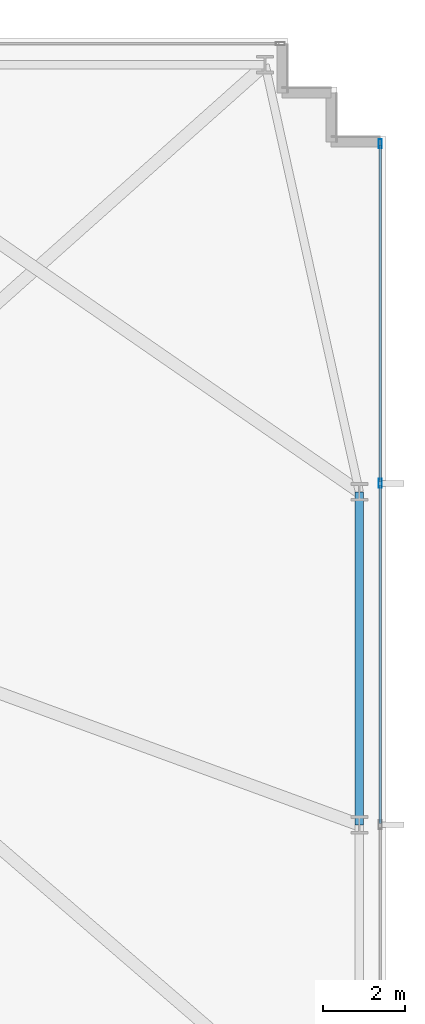
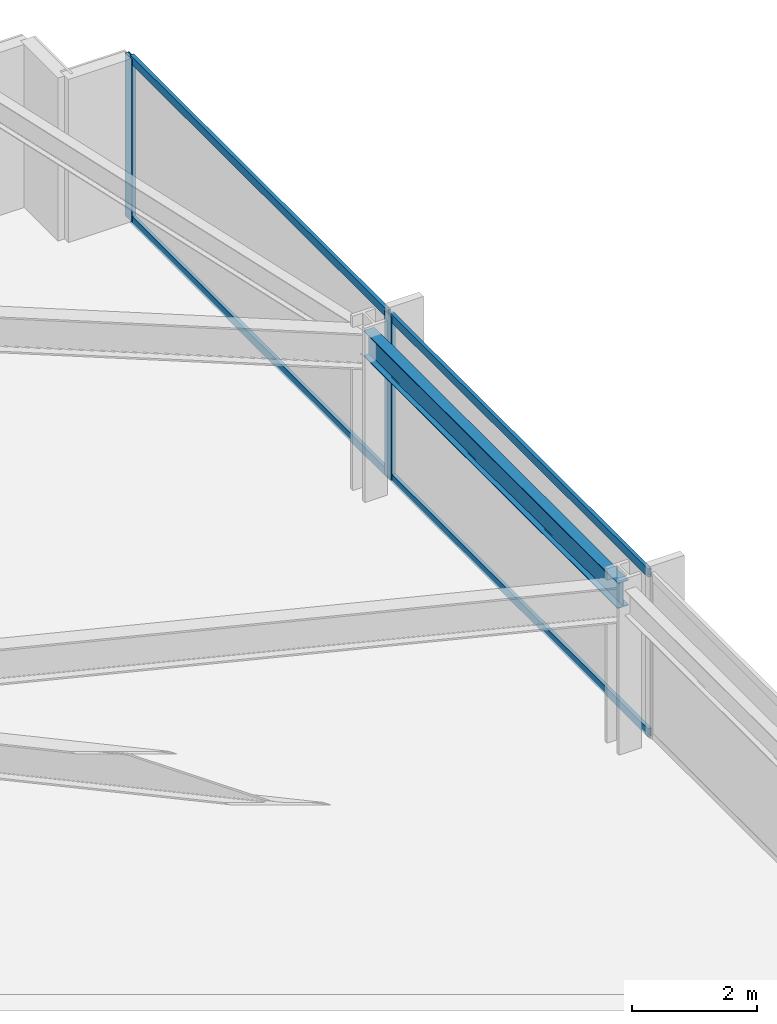
# One storey, part 23 of 32: 6 members, 1 beam, 1 element without a shape of its own.
"""IFC4 building model written with IfcOpenShell, lengths in metres."""

from ifc_helpers import new_model, si_unit, direction, frame, origin, origin_2d, place, context, subcontext, project, spatial, hollow_rectangle, i_section, extrude, material, material_profile, profile_set, type_object, element, aggregate, save


model = new_model("IFC4")

# Units and contexts
model_context = context("Model", 3, precision=1e-05, world=origin(), true_north=direction((0.0, 1.0)))
body_context = subcontext(model_context, "Body", "Model", "MODEL_VIEW")
ifc_project = project(units=[si_unit("LENGTHUNIT", "METRE"), si_unit("AREAUNIT", "SQUARE_METRE"), si_unit("VOLUMEUNIT", "CUBIC_METRE"), si_unit("PLANEANGLEUNIT", "RADIAN"), si_unit("MASSUNIT", "GRAM", prefix="KILO")], contexts=[model_context])

# Site, building, storey
site_placement = place(None, origin())
site = spatial("IfcSite", under=ifc_project, at=site_placement, CompositionType="ELEMENT")
building_placement = place(site_placement, origin())
building = spatial("IfcBuilding", under=site, at=building_placement, Name="Yelkora Congress Tower", CompositionType="ELEMENT")
storey_placement = place(building_placement, frame((0.0, 0.0, 40.60009765625)))
storey = spatial("IfcBuildingStorey", under=building, at=storey_placement, Name="L09", CompositionType="ELEMENT", Elevation=40.60009765625)

# Beam
ifc_material_1 = material(Name="Steel S355J2", Category="steel")
ifc_material_profile_1 = material_profile(ifc_material_1, i_section(OverallWidth=0.199951171875, OverallDepth=0.5, WebThickness=0.01025390625, FlangeThickness=0.01611328125, FilletRadius=0.02099609375, at=origin_2d()), Name="IPE 500")
ifc_profile_set_1 = profile_set([ifc_material_profile_1], Name="Steel S355J2")
beam_type = type_object("IfcBeamType", Name="BM-SPAN-IPE500", PredefinedType="SPANDREL", material=ifc_profile_set_1)
beam_placement = place(storey_placement, frame((70.14990234375, 29.39990234375, 2.929931640625), z_axis=(0.0, 1.0, 0.0), x_axis=(-1.0, 0.0, 0.0)))
element("IfcBeam", 1, at=beam_placement, inside=storey, type_object=beam_type, Name="L09 Perimeter Beam 12", PredefinedType="SPANDREL", context=body_context, shape_type="SweptSolid", body=[
    extrude(i_section(OverallWidth=0.199951171875, OverallDepth=0.5, WebThickness=0.01025390625, FlangeThickness=0.01611328125, FilletRadius=0.02099609375, at=origin_2d()), origin(), (0.0, 0.0, 1.0), 8.125),
])

# Curtain wall, members
ifc_material_2 = material(Name="Anodised aluminium and insulated glass", Category="aluminium")
curtain_wall_type = type_object("IfcCurtainWallType", Name="CW-SYS-B1", PredefinedType="NOTDEFINED", material=ifc_material_2)
curtain_wall_placement = place(storey_placement, origin())
curtain_wall = element("IfcCurtainWall", 2, at=curtain_wall_placement, inside=storey, type_object=curtain_wall_type, Name="L09 Unitised Curtain Wall 15", PredefinedType="NOTDEFINED")
ifc_material_3 = material(Name="Anodised aluminium 6063-T6", Category="aluminium")
ifc_material_profile_2 = material_profile(ifc_material_3, hollow_rectangle(XDim=0.074951171875, YDim=0.219970703125, WallThickness=0.0048828125, at=origin_2d()), Name="ALU 75x220x5")
ifc_profile_set_2 = profile_set([ifc_material_profile_2], Name="Anodised aluminium 6063-T6")
member_type_1 = type_object("IfcMemberType", Name="MEM-ML-B1", PredefinedType="MULLION", material=ifc_profile_set_2)
member_1_placement = place(storey_placement, frame((70.659912109375, 46.0224609375, 0.0), z_axis=(0.0, 0.0, 1.0), x_axis=(1.0, 0.0, 0.0)))
member_1 = element("IfcMember", 3, at=member_1_placement, type_object=member_type_1, Name="CW-B1 mullion 1", PredefinedType="MULLION", context=body_context, shape_type="SweptSolid", body=[
    extrude(hollow_rectangle(XDim=0.074951171875, YDim=0.219970703125, WallThickness=0.0048828125, at=origin_2d()), origin(), (0.0, 0.0, 1.0), 3.179931640625),
])
member_2_placement = place(storey_placement, frame((70.659912109375, 37.72998046875, 0.0), z_axis=(0.0, 0.0, 1.0), x_axis=(1.0, 0.0, 0.0)))
member_2 = element("IfcMember", 4, at=member_2_placement, type_object=member_type_1, Name="CW-B1 mullion 2", PredefinedType="MULLION", context=body_context, shape_type="SweptSolid", body=[
    extrude(hollow_rectangle(XDim=0.074951171875, YDim=0.219970703125, WallThickness=0.0048828125, at=origin_2d()), origin(), (0.0, 0.0, 1.0), 3.179931640625),
])
ifc_material_profile_3 = material_profile(ifc_material_3, hollow_rectangle(XDim=0.06494140625, YDim=0.159912109375, WallThickness=0.00390625, at=origin_2d()), Name="ALU 65x160x4")
ifc_profile_set_3 = profile_set([ifc_material_profile_3], Name="Anodised aluminium 6063-T6")
member_type_2 = type_object("IfcMemberType", Name="MEM-TR-B1", PredefinedType="USERDEFINED", material=ifc_profile_set_3)
member_3_placement = place(storey_placement, frame((70.659912109375, 45.985107421875, 0.032470703125), z_axis=(0.0, -1.0, 0.0), x_axis=(1.0, 0.0, 0.0)))
member_3 = element("IfcMember", 5, at=member_3_placement, type_object=member_type_2, Name="CW-B1 transom 1.1", ObjectType="TRANSOM", PredefinedType="USERDEFINED", context=body_context, shape_type="SweptSolid", body=[
    extrude(hollow_rectangle(XDim=0.06494140625, YDim=0.159912109375, WallThickness=0.00390625, at=origin_2d()), origin(), (0.0, 0.0, 1.0), 8.217529296875),
])
member_4_placement = place(storey_placement, frame((70.659912109375, 45.985107421875, 3.1474609375), z_axis=(0.0, -1.0, 0.0), x_axis=(1.0, 0.0, 0.0)))
member_4 = element("IfcMember", 6, at=member_4_placement, type_object=member_type_2, Name="CW-B1 transom 1.2", ObjectType="TRANSOM", PredefinedType="USERDEFINED", context=body_context, shape_type="SweptSolid", body=[
    extrude(hollow_rectangle(XDim=0.06494140625, YDim=0.159912109375, WallThickness=0.00390625, at=origin_2d()), origin(), (0.0, 0.0, 1.0), 8.217529296875),
])
member_5_placement = place(storey_placement, frame((70.659912109375, 37.6923828125, 0.032470703125), z_axis=(0.0, -1.0, 0.0), x_axis=(1.0, 0.0, 0.0)))
member_5 = element("IfcMember", 7, at=member_5_placement, type_object=member_type_2, Name="CW-B1 transom 2.1", ObjectType="TRANSOM", PredefinedType="USERDEFINED", context=body_context, shape_type="SweptSolid", body=[
    extrude(hollow_rectangle(XDim=0.06494140625, YDim=0.159912109375, WallThickness=0.00390625, at=origin_2d()), origin(), (0.0, 0.0, 1.0), 8.2548828125),
])
member_6_placement = place(storey_placement, frame((70.659912109375, 37.6923828125, 3.1474609375), z_axis=(0.0, -1.0, 0.0), x_axis=(1.0, 0.0, 0.0)))
member_6 = element("IfcMember", 8, at=member_6_placement, type_object=member_type_2, Name="CW-B1 transom 2.2", ObjectType="TRANSOM", PredefinedType="USERDEFINED", context=body_context, shape_type="SweptSolid", body=[
    extrude(hollow_rectangle(XDim=0.06494140625, YDim=0.159912109375, WallThickness=0.00390625, at=origin_2d()), origin(), (0.0, 0.0, 1.0), 8.2548828125),
])
aggregate(curtain_wall, [member_1, member_2, member_3, member_4, member_5, member_6])

save(model, "model.ifc")
